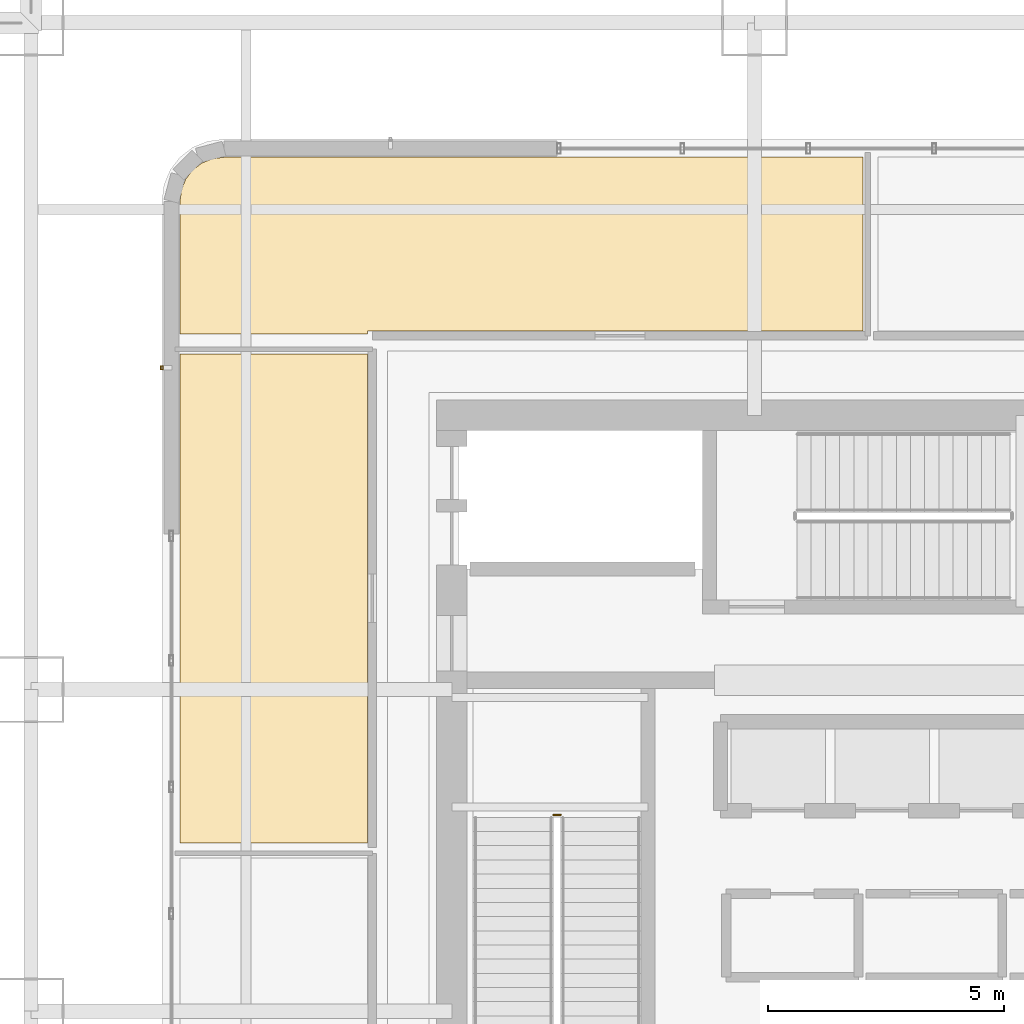
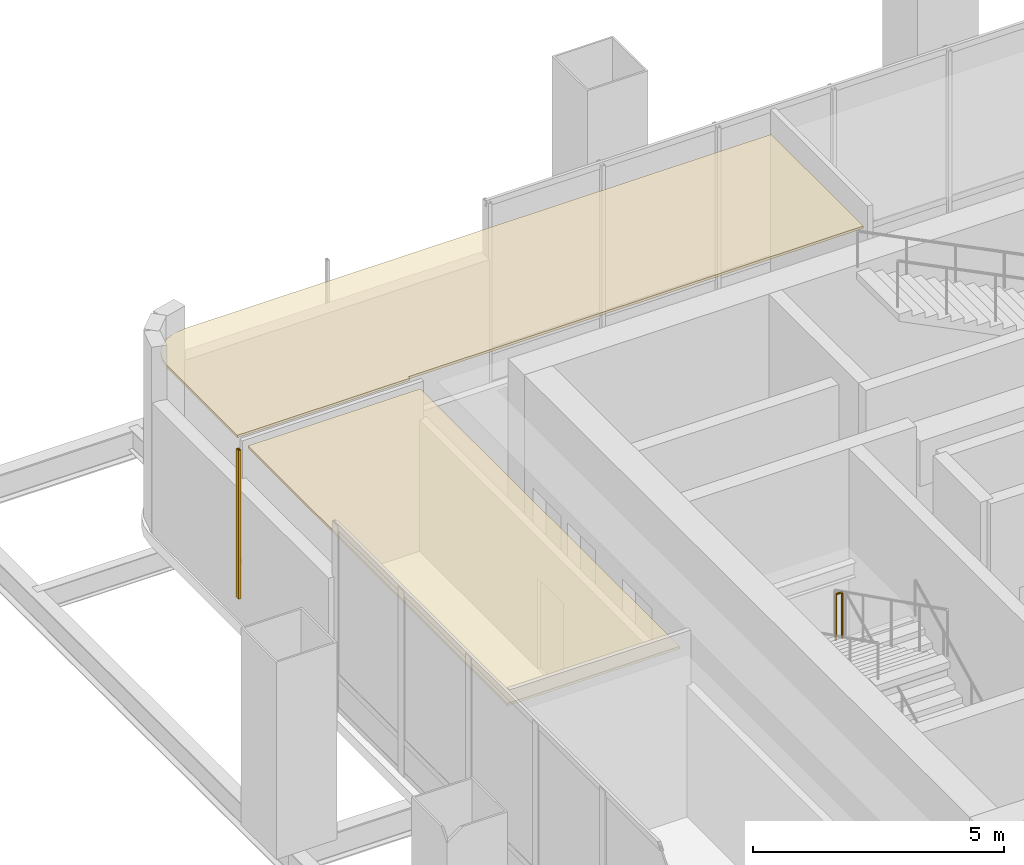
# One storey, part 23 of 30: 2 coverings, 1 railing, 1 shading device.
"""IFC4 building model written with IfcOpenShell, lengths in metres."""

from ifc_helpers import new_model, si_unit, direction, frame, origin, origin_2d, place, context, subcontext, project, spatial, polyline, hollow_rectangle, circle, outline, extrude, material, layer, layer_set, material_profile, profile_set, type_object, element, save


model = new_model("IFC4")

# Units and contexts
model_context = context("Model", 3, precision=1e-05, world=origin(), true_north=direction((0.0, 1.0)))
body_context = subcontext(model_context, "Body", "Model", "MODEL_VIEW")
ifc_project = project(units=[si_unit("LENGTHUNIT", "METRE"), si_unit("AREAUNIT", "SQUARE_METRE"), si_unit("VOLUMEUNIT", "CUBIC_METRE"), si_unit("PLANEANGLEUNIT", "RADIAN"), si_unit("MASSUNIT", "GRAM", prefix="KILO")], contexts=[model_context])

# Site, building, storey
site_placement = place(None, origin())
site = spatial("IfcSite", under=ifc_project, at=site_placement, CompositionType="ELEMENT")
building_placement = place(site_placement, origin())
building = spatial("IfcBuilding", under=site, at=building_placement, Name="Punatoya Terracotta Tower", CompositionType="ELEMENT")
storey_placement = place(building_placement, frame((0.0, 0.0, 135.0)))
storey = spatial("IfcBuildingStorey", under=building, at=storey_placement, Name="L31", CompositionType="ELEMENT", Elevation=135.0)

# Coverings
ifc_material_1 = material(Name="Acoustic Mineral Fibre Ceiling")
ifc_layer = layer(ifc_material_1, 0.06005859375)
ifc_layer_set = layer_set([ifc_layer], Name="Acoustic Mineral Fibre Ceiling")
covering_type = type_object("IfcCoveringType", Name="COV-CEIL-60", PredefinedType="CEILING", material=ifc_layer_set)
covering_1_placement = place(storey_placement, frame((0.0, 0.0, 3.929931640625)))
element("IfcCovering", 1, at=covering_1_placement, inside=storey, type_object=covering_type, Name="L31 Collaborative Seminar Room Acoustic Ceiling", PredefinedType="CEILING", context=body_context, shape_type="SweptSolid", body=[
    extrude(outline(polyline([(-15.949951171875, 10.5), (-15.949951171875, 0.159912109375), (-11.97998046875, 0.159912109375), (-11.97998046875, 10.5), (-15.949951171875, 10.5)])), origin(), (0.0, 0.0, 1.0), 0.06005859375),
])
covering_2_placement = place(storey_placement, frame((0.0, 0.0, 3.929931640625)))
element("IfcCovering", 2, at=covering_2_placement, inside=storey, type_object=covering_type, Name="L31 Digital Reference Library Acoustic Ceiling", PredefinedType="CEILING", context=body_context, shape_type="SweptSolid", body=[
    extrude(outline(polyline([(-15.949951171875, 13.715087890625), (-15.949951171875, 10.919921875), (-11.97998046875, 10.919921875), (-11.97998046875, 10.97998046875), (-1.506103515625, 10.97998046875), (-1.506103515625, 14.659912109375), (-15.005126953125, 14.659912109375), (-15.267333984375, 14.62548828125), (-15.48828125, 14.533935546875), (-15.67822265625, 14.38818359375), (-15.823974609375, 14.1982421875), (-15.91552734375, 13.977294921875), (-15.949951171875, 13.715087890625)])), origin(), (0.0, 0.0, 1.0), 0.06005859375),
])

# Railing
ifc_material_2 = material(Name="Steel S355", Category="steel")
railing_type = type_object("IfcRailingType", Name="RLG-GRD-1150", PredefinedType="GUARDRAIL", material=ifc_material_2)
railing_placement = place(storey_placement, frame((-7.89990234375, 0.75, 2.39990234375)))
element("IfcRailing", 3, at=railing_placement, inside=storey, type_object=railing_type, Name="L31 ST-1 stair guard 2", PredefinedType="GUARDRAIL", context=body_context, shape_type="SweptSolid", body=[
    extrude(circle(Radius=0.02392578125, at=origin_2d()), frame((0.0, 0.0, 1.1259765625), z_axis=(-1.0, 0.0, 0.0), x_axis=(0.0, -1.0, 0.0)), (0.0, 0.0, 1.0), 0.150146484375),
    extrude(circle(Radius=0.02099609375, at=origin_2d()), origin(), (0.0, 0.0, 1.0), 1.101806640625),
    extrude(circle(Radius=0.02099609375, at=origin_2d()), frame((-0.150146484375, 0.0, 0.0)), (0.0, 0.0, 1.0), 1.101806640625),
])

# Shading device
ifc_material_3 = material(Name="Architectural Fired Terracotta", Category="masonry")
ifc_material_profile = material_profile(ifc_material_3, hollow_rectangle(XDim=0.06005859375, YDim=0.090087890625, WallThickness=0.013916015625, at=origin_2d()))
ifc_profile_set = profile_set([ifc_material_profile], Name="Architectural Fired Terracotta")
shading_device_type = type_object("IfcShadingDeviceType", Name="SHD-JALI-90", PredefinedType="JALOUSIE", material=ifc_profile_set)
shading_device_placement = place(storey_placement, frame((-16.330078125, 10.20849609375, 0.60009765625), z_axis=(0.0, 0.0, 1.0), x_axis=(1.0, 0.0, 0.0)))
element("IfcShadingDevice", 4, at=shading_device_placement, inside=storey, type_object=shading_device_type, Name="L31 Braced Bay Terracotta Jali Fin W1", PredefinedType="JALOUSIE", context=body_context, shape_type="SweptSolid", body=[
    extrude(hollow_rectangle(XDim=0.06005859375, YDim=0.090087890625, WallThickness=0.013916015625, at=origin_2d()), origin(), (0.0, 0.0, 1.0), 3.619873046875),
])

save(model, "model.ifc")
